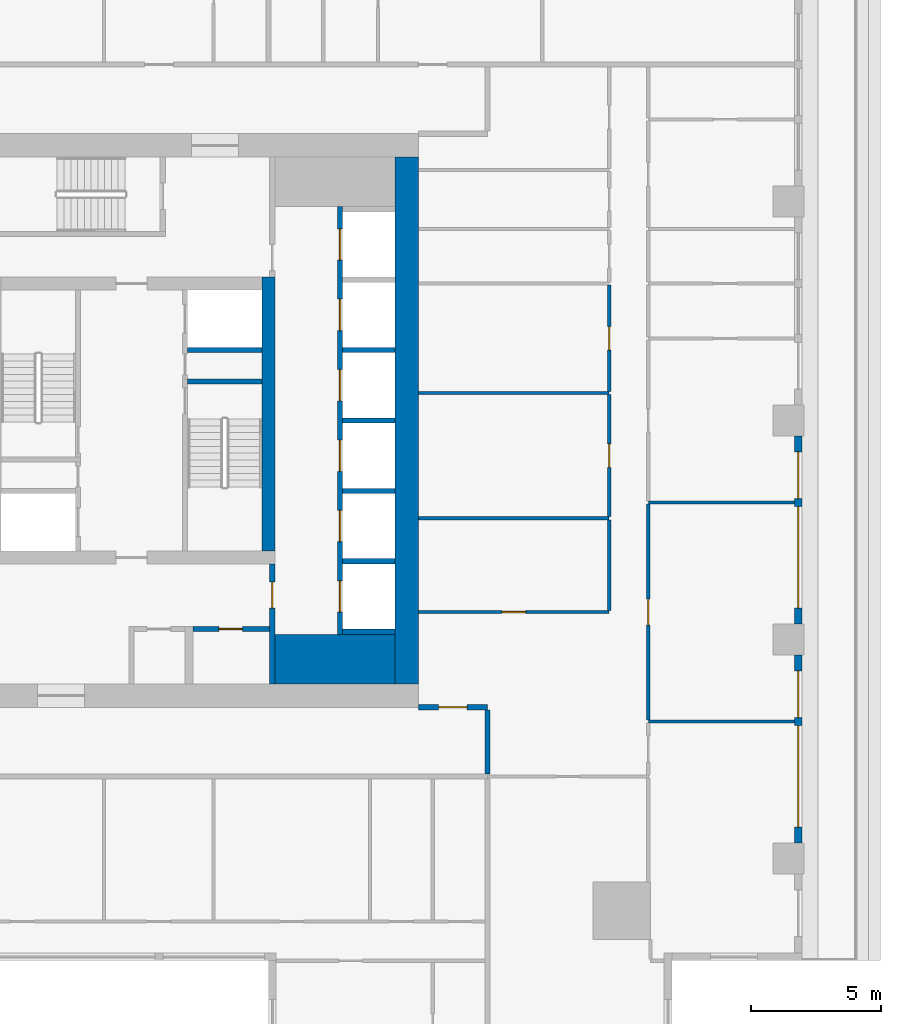
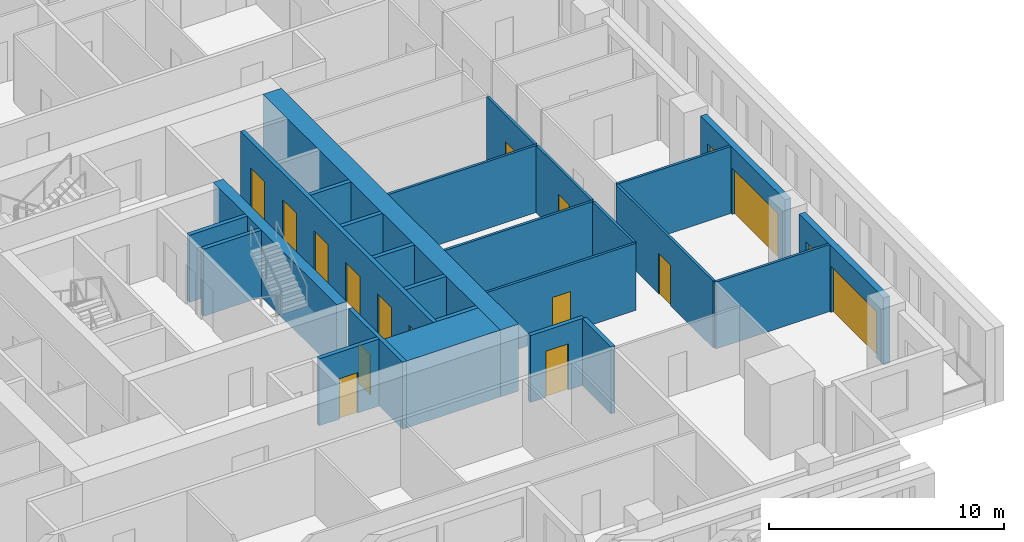
# One storey, part 5 of 15: 26 walls, 17 doors, 17 openings.
"""IFC4 building model written with IfcOpenShell, lengths in metres."""

from ifc_helpers import new_model, si_unit, direction, frame, frame_2d, origin, place, context, subcontext, project, spatial, rectangle, extrude, material, layer, layer_set, type_object, element, fill, save


model = new_model("IFC4")

# Units and contexts
model_context = context("Model", 3, precision=1e-05, world=origin(), true_north=direction((0.0, 1.0)))
body_context = subcontext(model_context, "Body", "Model", "MODEL_VIEW")
ifc_project = project(units=[si_unit("LENGTHUNIT", "METRE"), si_unit("AREAUNIT", "SQUARE_METRE"), si_unit("VOLUMEUNIT", "CUBIC_METRE"), si_unit("PLANEANGLEUNIT", "RADIAN"), si_unit("MASSUNIT", "GRAM", prefix="KILO")], contexts=[model_context])

# Site, building, storey
site_placement = place(None, origin())
site = spatial("IfcSite", under=ifc_project, at=site_placement, CompositionType="ELEMENT")
building_placement = place(site_placement, origin())
building = spatial("IfcBuilding", under=site, at=building_placement, Name="Khepri Terraces", CompositionType="ELEMENT")
storey_placement = place(building_placement, frame((0.0, 0.0, 252.300048828125)))
storey = spatial("IfcBuildingStorey", under=building, at=storey_placement, Name="L60", CompositionType="ELEMENT", Elevation=252.300048828125)

# Walls
ifc_material_1 = material(Name="Concrete C40/50", Category="concrete")
ifc_layer_1 = layer(ifc_material_1, 1.89990234375, Name="Concrete C40/50", Category="concrete")
ifc_layer_set_1 = layer_set([ifc_layer_1], Name="Concrete C40/50")
wall_type_1 = type_object("IfcWallType", Name="Core wall 1900 C40/50", PredefinedType="SHEAR", material=ifc_layer_set_1)
wall_1_placement = place(storey_placement, frame((5.5, -9.14990234375, 0.0), z_axis=(0.0, 0.0, 1.0), x_axis=(1.0, 0.0, 0.0)))
element("IfcWall", 1, at=wall_1_placement, inside=storey, type_object=wall_type_1, Name="Core wall PR02 L60", PredefinedType="SHEAR", context=body_context, shape_type="SweptSolid", body=[
    extrude(rectangle(XDim=4.60009765625, YDim=1.89990234375, at=frame_2d((2.300048828125, 0.0))), origin(), (0.0, 0.0, 1.0), 3.47998046875),
])
ifc_layer_2 = layer(ifc_material_1, 0.199951171875, Name="Concrete C40/50", Category="concrete")
ifc_layer_set_2 = layer_set([ifc_layer_2], Name="Concrete C40/50")
wall_type_2 = type_object("IfcWallType", Name="Core wall 200 C40/50", PredefinedType="SHEAR", material=ifc_layer_set_2)
wall_2_placement = place(storey_placement, frame((2.14990234375, 1.5, 0.0), z_axis=(0.0, 0.0, 1.0), x_axis=(1.0, 0.0, 0.0)))
element("IfcWall", 2, at=wall_2_placement, inside=storey, type_object=wall_type_2, Name="Core wall ST04 L60", PredefinedType="SHEAR", context=body_context, shape_type="SweptSolid", body=[
    extrude(rectangle(XDim=2.85009765625, YDim=0.199951171875, at=frame_2d((1.425048828125, 0.0))), origin(), (0.0, 0.0, 1.0), 3.47998046875),
])

# Wall, openings, doors
wall_3_placement = place(storey_placement, frame((8.0, -8.199951171875, 0.0), z_axis=(0.0, 0.0, 1.0), x_axis=(0.0, 1.0, 0.0)))
wall_3 = element("IfcWall", 3, at=wall_3_placement, inside=storey, type_object=wall_type_2, Name="Core wall SH02 L60", PredefinedType="SHEAR", context=body_context, shape_type="SweptSolid", body=[
    extrude(rectangle(XDim=16.39990234375, YDim=0.199951171875, at=frame_2d((8.199951171875, 0.0))), origin(), (0.0, 0.0, 1.0), 3.47998046875),
])
opening_1_placement = place(wall_3_placement, frame((0.85009765625, 0.0, 0.0)))
opening_1 = element("IfcOpeningElement", 4, at=opening_1_placement, cuts=wall_3, Name="Opening L60-C01", PredefinedType="OPENING", context=body_context, shape_type="SweptSolid", body=[
    extrude(rectangle(XDim=1.199951171875, YDim=2.10009765625, at=frame_2d((0.60009765625, 1.050048828125))), frame((0.0, 0.10986328125, 0.0), z_axis=(0.0, -1.0, 0.0), x_axis=(1.0, 0.0, 0.0)), (0.0, 0.0, 1.0), 0.219970703125),
])
opening_2_placement = place(wall_3_placement, frame((3.550048828125, 0.0, 0.0)))
opening_2 = element("IfcOpeningElement", 5, at=opening_2_placement, cuts=wall_3, Name="Opening L60-C02", PredefinedType="OPENING", context=body_context, shape_type="SweptSolid", body=[
    extrude(rectangle(XDim=1.199951171875, YDim=2.10009765625, at=frame_2d((0.60009765625, 1.050048828125))), frame((0.0, 0.10986328125, 0.0), z_axis=(0.0, -1.0, 0.0), x_axis=(1.0, 0.0, 0.0)), (0.0, 0.0, 1.0), 0.219970703125),
])
opening_3_placement = place(wall_3_placement, frame((6.25, 0.0, 0.0)))
opening_3 = element("IfcOpeningElement", 6, at=opening_3_placement, cuts=wall_3, Name="Opening L60-C03", PredefinedType="OPENING", context=body_context, shape_type="SweptSolid", body=[
    extrude(rectangle(XDim=1.199951171875, YDim=2.10009765625, at=frame_2d((0.60009765625, 1.050048828125))), frame((0.0, 0.10986328125, 0.0), z_axis=(0.0, -1.0, 0.0), x_axis=(1.0, 0.0, 0.0)), (0.0, 0.0, 1.0), 0.219970703125),
])
opening_4_placement = place(wall_3_placement, frame((8.949951171875, 0.0, 0.0)))
opening_4 = element("IfcOpeningElement", 7, at=opening_4_placement, cuts=wall_3, Name="Opening L60-C04", PredefinedType="OPENING", context=body_context, shape_type="SweptSolid", body=[
    extrude(rectangle(XDim=1.199951171875, YDim=2.10009765625, at=frame_2d((0.60009765625, 1.050048828125))), frame((0.0, 0.10986328125, 0.0), z_axis=(0.0, -1.0, 0.0), x_axis=(1.0, 0.0, 0.0)), (0.0, 0.0, 1.0), 0.219970703125),
])
opening_5_placement = place(wall_3_placement, frame((11.64990234375, 0.0, 0.0)))
opening_5 = element("IfcOpeningElement", 8, at=opening_5_placement, cuts=wall_3, Name="Opening L60-C05", PredefinedType="OPENING", context=body_context, shape_type="SweptSolid", body=[
    extrude(rectangle(XDim=1.199951171875, YDim=2.10009765625, at=frame_2d((0.60009765625, 1.050048828125))), frame((0.0, 0.10986328125, 0.0), z_axis=(0.0, -1.0, 0.0), x_axis=(1.0, 0.0, 0.0)), (0.0, 0.0, 1.0), 0.219970703125),
])
opening_6_placement = place(wall_3_placement, frame((14.35009765625, 0.0, 0.0)))
opening_6 = element("IfcOpeningElement", 9, at=opening_6_placement, cuts=wall_3, Name="Opening L60-C06", PredefinedType="OPENING", context=body_context, shape_type="SweptSolid", body=[
    extrude(rectangle(XDim=1.199951171875, YDim=2.10009765625, at=frame_2d((0.60009765625, 1.050048828125))), frame((0.0, 0.10986328125, 0.0), z_axis=(0.0, -1.0, 0.0), x_axis=(1.0, 0.0, 0.0)), (0.0, 0.0, 1.0), 0.219970703125),
])
ifc_material_2 = material(Name="Stainless steel 304", Category="steel")
door_type_1 = type_object("IfcDoorType", Name="DR-CORE-LANDING-1200", OperationType="NOTDEFINED", PredefinedType="DOOR", material=ifc_material_2)
door_1_placement = place(opening_1_placement, origin())
door_1 = element("IfcDoor", 10, at=door_1_placement, inside=storey, type_object=door_type_1, Name="Lift landing door L60-C01", OperationType="SLIDING_TO_LEFT", OverallHeight=2.10009765625, OverallWidth=1.199951171875, PredefinedType="DOOR", context=body_context, shape_type="SweptSolid", body=[
    extrude(rectangle(XDim=1.199951171875, YDim=2.10009765625, at=frame_2d((0.60009765625, 1.050048828125))), frame((0.0, 0.02490234375, 0.0), z_axis=(0.0, -1.0, 0.0), x_axis=(1.0, 0.0, 0.0)), (0.0, 0.0, 1.0), 0.050048828125),
])
fill(opening_1, door_1)
door_2_placement = place(opening_2_placement, origin())
door_2 = element("IfcDoor", 11, at=door_2_placement, inside=storey, type_object=door_type_1, Name="Lift landing door L60-C02", OperationType="SLIDING_TO_LEFT", OverallHeight=2.10009765625, OverallWidth=1.199951171875, PredefinedType="DOOR", context=body_context, shape_type="SweptSolid", body=[
    extrude(rectangle(XDim=1.199951171875, YDim=2.10009765625, at=frame_2d((0.60009765625, 1.050048828125))), frame((0.0, 0.02490234375, 0.0), z_axis=(0.0, -1.0, 0.0), x_axis=(1.0, 0.0, 0.0)), (0.0, 0.0, 1.0), 0.050048828125),
])
fill(opening_2, door_2)
door_3_placement = place(opening_3_placement, origin())
door_3 = element("IfcDoor", 12, at=door_3_placement, inside=storey, type_object=door_type_1, Name="Lift landing door L60-C03", OperationType="SLIDING_TO_LEFT", OverallHeight=2.10009765625, OverallWidth=1.199951171875, PredefinedType="DOOR", context=body_context, shape_type="SweptSolid", body=[
    extrude(rectangle(XDim=1.199951171875, YDim=2.10009765625, at=frame_2d((0.60009765625, 1.050048828125))), frame((0.0, 0.02490234375, 0.0), z_axis=(0.0, -1.0, 0.0), x_axis=(1.0, 0.0, 0.0)), (0.0, 0.0, 1.0), 0.050048828125),
])
fill(opening_3, door_3)
door_4_placement = place(opening_4_placement, origin())
door_4 = element("IfcDoor", 13, at=door_4_placement, inside=storey, type_object=door_type_1, Name="Lift landing door L60-C04", OperationType="SLIDING_TO_LEFT", OverallHeight=2.10009765625, OverallWidth=1.199951171875, PredefinedType="DOOR", context=body_context, shape_type="SweptSolid", body=[
    extrude(rectangle(XDim=1.199951171875, YDim=2.10009765625, at=frame_2d((0.60009765625, 1.050048828125))), frame((0.0, 0.02490234375, 0.0), z_axis=(0.0, -1.0, 0.0), x_axis=(1.0, 0.0, 0.0)), (0.0, 0.0, 1.0), 0.050048828125),
])
fill(opening_4, door_4)
door_5_placement = place(opening_5_placement, origin())
door_5 = element("IfcDoor", 14, at=door_5_placement, inside=storey, type_object=door_type_1, Name="Lift landing door L60-C05", OperationType="SLIDING_TO_LEFT", OverallHeight=2.10009765625, OverallWidth=1.199951171875, PredefinedType="DOOR", context=body_context, shape_type="SweptSolid", body=[
    extrude(rectangle(XDim=1.199951171875, YDim=2.10009765625, at=frame_2d((0.60009765625, 1.050048828125))), frame((0.0, 0.02490234375, 0.0), z_axis=(0.0, -1.0, 0.0), x_axis=(1.0, 0.0, 0.0)), (0.0, 0.0, 1.0), 0.050048828125),
])
fill(opening_5, door_5)
door_6_placement = place(opening_6_placement, origin())
door_6 = element("IfcDoor", 15, at=door_6_placement, inside=storey, type_object=door_type_1, Name="Lift landing door L60-C06", OperationType="SLIDING_TO_LEFT", OverallHeight=2.10009765625, OverallWidth=1.199951171875, PredefinedType="DOOR", context=body_context, shape_type="SweptSolid", body=[
    extrude(rectangle(XDim=1.199951171875, YDim=2.10009765625, at=frame_2d((0.60009765625, 1.050048828125))), frame((0.0, 0.02490234375, 0.0), z_axis=(0.0, -1.0, 0.0), x_axis=(1.0, 0.0, 0.0)), (0.0, 0.0, 1.0), 0.050048828125),
])
fill(opening_6, door_6)

# Walls
for number, where, z_axis, x_axis, name in (
    (16, (8.10009765625, -8.10009765625, 0.0), (0.0, 0.0, 1.0), (1.0, 0.0, 0.0), "Core wall SH03 L60"),
    (17, (8.10009765625, -5.39990234375, 0.0), (0.0, 0.0, 1.0), (1.0, 0.0, 0.0), "Core wall SH04 L60"),
    (18, (8.10009765625, -2.699951171875, 0.0), (0.0, 0.0, 1.0), (1.0, 0.0, 0.0), "Core wall SH08 L60"),
    (19, (8.10009765625, 0.0, 0.0), (0.0, 0.0, 1.0), (1.0, 0.0, 0.0), "Core wall SH09 L60"),
):
    element("IfcWall", number, at=place(storey_placement, frame(where, z_axis=z_axis, x_axis=x_axis)), inside=storey, type_object=wall_type_2, Name=name, PredefinedType="SHEAR", context=body_context, shape_type="SweptSolid", body=[
        extrude(rectangle(XDim=2.0, YDim=0.199951171875, at=frame_2d((1.0, 0.0))), origin(), (0.0, 0.0, 1.0), 3.47998046875),
    ])
wall_4_placement = place(storey_placement, frame((2.14990234375, 2.699951171875, 0.0), z_axis=(0.0, 0.0, 1.0), x_axis=(1.0, 0.0, 0.0)))
element("IfcWall", 20, at=wall_4_placement, inside=storey, type_object=wall_type_2, Name="Core wall SH12 L60", PredefinedType="SHEAR", context=body_context, shape_type="SweptSolid", body=[
    extrude(rectangle(XDim=2.85009765625, YDim=0.199951171875, at=frame_2d((1.425048828125, 0.0))), origin(), (0.0, 0.0, 1.0), 3.47998046875),
])
wall_5_placement = place(storey_placement, frame((8.10009765625, 2.699951171875, 0.0), z_axis=(0.0, 0.0, 1.0), x_axis=(1.0, 0.0, 0.0)))
element("IfcWall", 21, at=wall_5_placement, inside=storey, type_object=wall_type_2, Name="Core wall SH13 L60", PredefinedType="SHEAR", context=body_context, shape_type="SweptSolid", body=[
    extrude(rectangle(XDim=2.0, YDim=0.199951171875, at=frame_2d((1.0, 0.0))), origin(), (0.0, 0.0, 1.0), 3.47998046875),
])
ifc_layer_3 = layer(ifc_material_1, 0.5, Name="Concrete C40/50", Category="concrete")
ifc_layer_set_3 = layer_set([ifc_layer_3], Name="Concrete C40/50")
wall_type_3 = type_object("IfcWallType", Name="Core wall 500 C40/50", PredefinedType="SHEAR", material=ifc_layer_set_3)
wall_6_placement = place(storey_placement, frame((5.25, -5.0, 0.0), z_axis=(0.0, 0.0, 1.0), x_axis=(0.0, 1.0, 0.0)))
element("IfcWall", 22, at=wall_6_placement, inside=storey, type_object=wall_type_3, Name="Core wall BX03 L60", PredefinedType="SHEAR", context=body_context, shape_type="SweptSolid", body=[
    extrude(rectangle(XDim=10.5, YDim=0.5, at=frame_2d((5.25, 0.0))), origin(), (0.0, 0.0, 1.0), 3.47998046875),
])
ifc_layer_4 = layer(ifc_material_1, 0.89990234375, Name="Concrete C40/50", Category="concrete")
ifc_layer_set_4 = layer_set([ifc_layer_4], Name="Concrete C40/50")
wall_type_4 = type_object("IfcWallType", Name="Core wall 900 C40/50", PredefinedType="SHEAR", material=ifc_layer_set_4)
wall_7_placement = place(storey_placement, frame((10.550048828125, -10.10009765625, 0.0), z_axis=(0.0, 0.0, 1.0), x_axis=(0.0, 1.0, 0.0)))
element("IfcWall", 23, at=wall_7_placement, inside=storey, type_object=wall_type_4, Name="Core wall OW-E L60", PredefinedType="SHEAR", context=body_context, shape_type="SweptSolid", body=[
    extrude(rectangle(XDim=20.2001953125, YDim=0.89990234375, at=frame_2d((10.10009765625, 0.0))), origin(), (0.0, 0.0, 1.0), 3.47998046875),
])

# Wall, opening, door
ifc_material_3 = material(Name="Fire-rated gypsum board partition")
ifc_layer_5 = layer(ifc_material_3, 0.199951171875, Name="Fire-rated gypsum board partition")
ifc_layer_set_5 = layer_set([ifc_layer_5], Name="Fire-rated gypsum board partition")
wall_type_5 = type_object("IfcWallType", Name="WL-CORE-PART-200", PredefinedType="PARTITIONING", material=ifc_layer_set_5)
wall_8_placement = place(storey_placement, frame((5.39990234375, -10.10009765625, 0.0), z_axis=(0.0, 0.0, 1.0), x_axis=(0.0, 1.0, 0.0)))
wall_8 = element("IfcWall", 24, at=wall_8_placement, inside=storey, type_object=wall_type_5, Name="Core partition PT04 L60", PredefinedType="PARTITIONING", context=body_context, shape_type="SweptSolid", body=[
    extrude(rectangle(XDim=4.60009765625, YDim=0.199951171875, at=frame_2d((2.300048828125, 0.0))), origin(), (0.0, 0.0, 1.0), 3.47998046875),
])
opening_7_placement = place(wall_8_placement, frame((2.89990234375, 0.0, 0.0)))
opening_7 = element("IfcOpeningElement", 25, at=opening_7_placement, cuts=wall_8, Name="Opening L60-C19", PredefinedType="OPENING", context=body_context, shape_type="SweptSolid", body=[
    extrude(rectangle(XDim=1.0, YDim=2.10009765625, at=frame_2d((0.5, 1.050048828125))), frame((0.0, 0.10986328125, 0.0), z_axis=(0.0, -1.0, 0.0), x_axis=(1.0, 0.0, 0.0)), (0.0, 0.0, 1.0), 0.219970703125),
])
ifc_material_4 = material(Name="Painted steel", Category="steel")
door_type_2 = type_object("IfcDoorType", Name="DR-CORE-LOBBY-1000", OperationType="NOTDEFINED", PredefinedType="DOOR", material=ifc_material_4)
door_7_placement = place(opening_7_placement, origin())
door_7 = element("IfcDoor", 26, at=door_7_placement, inside=storey, type_object=door_type_2, Name="Lobby door L60-C19", OperationType="SINGLE_SWING_RIGHT", OverallHeight=2.10009765625, OverallWidth=1.0, PredefinedType="DOOR", context=body_context, shape_type="SweptSolid", body=[
    extrude(rectangle(XDim=1.0, YDim=2.10009765625, at=frame_2d((0.5, 1.050048828125))), frame((0.0, 0.02490234375, 0.0), z_axis=(0.0, -1.0, 0.0), x_axis=(1.0, 0.0, 0.0)), (0.0, 0.0, 1.0), 0.050048828125),
])
fill(opening_7, door_7)

wall_9_placement = place(storey_placement, frame((2.35009765625, -8.0, 0.0), z_axis=(0.0, 0.0, 1.0), x_axis=(1.0, 0.0, 0.0)))
wall_9 = element("IfcWall", 27, at=wall_9_placement, inside=storey, type_object=wall_type_5, Name="Core partition PT07 L60", PredefinedType="PARTITIONING", context=body_context, shape_type="SweptSolid", body=[
    extrude(rectangle(XDim=2.949951171875, YDim=0.199951171875, at=frame_2d((1.47509765625, 0.0))), origin(), (0.0, 0.0, 1.0), 3.47998046875),
])
opening_8_placement = place(wall_9_placement, frame((1.0, 0.0, 0.0)))
opening_8 = element("IfcOpeningElement", 28, at=opening_8_placement, cuts=wall_9, Name="Opening L60-C23", PredefinedType="OPENING", context=body_context, shape_type="SweptSolid", body=[
    extrude(rectangle(XDim=0.89990234375, YDim=2.10009765625, at=frame_2d((0.449951171875, 1.050048828125))), frame((0.0, 0.10986328125, 0.0), z_axis=(0.0, -1.0, 0.0), x_axis=(1.0, 0.0, 0.0)), (0.0, 0.0, 1.0), 0.219970703125),
])
door_type_3 = type_object("IfcDoorType", Name="DR-CORE-SERVICE-900", OperationType="NOTDEFINED", PredefinedType="DOOR", material=ifc_material_4)
door_8_placement = place(opening_8_placement, frame((0.89990234375, 0.0, 0.0), z_axis=(0.0, 0.0, 1.0), x_axis=(-1.0, 0.0, 0.0)))
door_8 = element("IfcDoor", 29, at=door_8_placement, inside=storey, type_object=door_type_3, Name="Service room door L60-C23", OperationType="SINGLE_SWING_RIGHT", OverallHeight=2.10009765625, OverallWidth=0.89990234375, PredefinedType="DOOR", context=body_context, shape_type="SweptSolid", body=[
    extrude(rectangle(XDim=0.89990234375, YDim=2.10009765625, at=frame_2d((0.449951171875, 1.050048828125))), frame((0.0, 0.02490234375, 0.0), z_axis=(0.0, -1.0, 0.0), x_axis=(1.0, 0.0, 0.0)), (0.0, 0.0, 1.0), 0.050048828125),
])
fill(opening_8, door_8)

# Wall
ifc_material_5 = material(Name="Fire-rated gypsum plasterboard partition, mineral wool")
ifc_layer_6 = layer(ifc_material_5, 0.199951171875, Name="Fire-rated gypsum plasterboard partition, mineral wool")
ifc_layer_set_6 = layer_set([ifc_layer_6], Name="Fire-rated gypsum plasterboard partition, mineral wool")
wall_type_6 = type_object("IfcWallType", Name="WL-CORR-200", PredefinedType="PARTITIONING", material=ifc_layer_set_6)
wall_10_placement = place(storey_placement, frame((13.64990234375, -13.550048828125, 0.0), z_axis=(0.0, 0.0, 1.0), x_axis=(0.0, 1.0, 0.0)))
element("IfcWall", 30, at=wall_10_placement, inside=storey, type_object=wall_type_6, Name="Partition P-022 L60", PredefinedType="PARTITIONING", context=body_context, shape_type="SweptSolid", body=[
    extrude(rectangle(XDim=2.449951171875, YDim=0.199951171875, at=frame_2d((1.22509765625, 0.0))), origin(), (0.0, 0.0, 1.0), 3.47998046875),
])

# Wall, opening, door
wall_11_placement = place(storey_placement, frame((11.0, -11.0, 0.0), z_axis=(0.0, 0.0, 1.0), x_axis=(1.0, 0.0, 0.0)))
wall_11 = element("IfcWall", 31, at=wall_11_placement, inside=storey, type_object=wall_type_6, Name="Partition P-028 L60", PredefinedType="PARTITIONING", context=body_context, shape_type="SweptSolid", body=[
    extrude(rectangle(XDim=2.64990234375, YDim=0.199951171875, at=frame_2d((1.324951171875, 0.0))), origin(), (0.0, 0.0, 1.0), 3.47998046875),
])
opening_9_placement = place(wall_11_placement, frame((0.77490234375, 0.0, 0.0)))
opening_9 = element("IfcOpeningElement", 32, at=opening_9_placement, cuts=wall_11, Name="Opening D1", PredefinedType="OPENING", context=body_context, shape_type="SweptSolid", body=[
    extrude(rectangle(XDim=1.10009765625, YDim=2.39990234375, at=frame_2d((0.550048828125, 1.199951171875))), frame((0.0, 0.10986328125, 0.0), z_axis=(0.0, -1.0, 0.0), x_axis=(1.0, 0.0, 0.0)), (0.0, 0.0, 1.0), 0.219970703125),
])
ifc_material_6 = material(Name="Solid-core timber door leaf, flat entrance door", Category="wood")
door_type_4 = type_object("IfcDoorType", Name="DR-ENT-1100", OperationType="NOTDEFINED", PredefinedType="DOOR", material=ifc_material_6)
door_9_placement = place(opening_9_placement, origin())
door_9 = element("IfcDoor", 33, at=door_9_placement, inside=storey, type_object=door_type_4, Name="Flat B1 entrance door", OperationType="SINGLE_SWING_LEFT", OverallHeight=2.39990234375, OverallWidth=1.10009765625, PredefinedType="DOOR", context=body_context, shape_type="SweptSolid", body=[
    extrude(rectangle(XDim=1.10009765625, YDim=2.39990234375, at=frame_2d((0.550048828125, 1.199951171875))), frame((0.0, 0.02490234375, 0.0), z_axis=(0.0, -1.0, 0.0), x_axis=(1.0, 0.0, 0.0)), (0.0, 0.0, 1.0), 0.050048828125),
])
fill(opening_9, door_9)

# Wall, openings, doors
ifc_material_7 = material(Name="Precast concrete C50/60 warm stone", Category="masonry")
ifc_layer_7 = layer(ifc_material_7, 0.300048828125, Name="Precast concrete C50/60 warm stone", Category="masonry")
ifc_layer_set_7 = layer_set([ifc_layer_7], Name="Precast concrete C50/60 warm stone")
wall_type_7 = type_object("IfcWallType", Name="WL-EXT-PRECAST-300", PredefinedType="STANDARD", material=ifc_layer_set_7)
wall_12_placement = place(storey_placement, frame((25.570068359375, -16.199951171875, 0.0), z_axis=(0.0, 0.0, 1.0), x_axis=(0.0, 1.0, 0.0)))
wall_12 = element("IfcWall", 34, at=wall_12_placement, inside=storey, type_object=wall_type_7, Name="External wall L60 E", PredefinedType="STANDARD", context=body_context, shape_type="SweptSolid", body=[
    extrude(rectangle(XDim=7.199951171875, YDim=0.300048828125, at=frame_2d((3.60009765625, 0.0))), origin(), (0.0, 0.0, 1.0), 3.47998046875),
])
opening_10_placement = place(wall_12_placement, frame((0.60009765625, 0.0, 0.0)))
opening_10 = element("IfcOpeningElement", 35, at=opening_10_placement, cuts=wall_12, Name="Opening ED-L60-02", PredefinedType="OPENING", context=body_context, shape_type="SweptSolid", body=[
    extrude(rectangle(XDim=3.89990234375, YDim=2.39990234375, at=frame_2d((1.949951171875, 1.199951171875))), frame((0.0, 0.16015625, 0.0), z_axis=(0.0, -1.0, 0.0), x_axis=(1.0, 0.0, 0.0)), (0.0, 0.0, 1.0), 0.320068359375),
])
opening_11_placement = place(wall_12_placement, frame((4.800048828125, 0.0, 0.0)))
opening_11 = element("IfcOpeningElement", 36, at=opening_11_placement, cuts=wall_12, Name="Opening ED-L60-03", PredefinedType="OPENING", context=body_context, shape_type="SweptSolid", body=[
    extrude(rectangle(XDim=1.800048828125, YDim=2.39990234375, at=frame_2d((0.89990234375, 1.199951171875))), frame((0.0, 0.16015625, 0.0), z_axis=(0.0, -1.0, 0.0), x_axis=(1.0, 0.0, 0.0)), (0.0, 0.0, 1.0), 0.320068359375),
])
ifc_material_8 = material(Name="Anodised aluminium bronze glazed door", Category="aluminium")
door_type_5 = type_object("IfcDoorType", Name="DR-BAL-SLIDE-1800x2400", OperationType="NOTDEFINED", PredefinedType="DOOR", material=ifc_material_8)
door_10_placement = place(opening_11_placement, origin())
door_10 = element("IfcDoor", 37, at=door_10_placement, inside=storey, type_object=door_type_5, Name="Balcony door L60 E", OperationType="SLIDING_TO_RIGHT", OverallHeight=2.39990234375, OverallWidth=1.800048828125, PredefinedType="DOOR", context=body_context, shape_type="SweptSolid", body=[
    extrude(rectangle(XDim=1.800048828125, YDim=2.39990234375, at=frame_2d((0.89990234375, 1.199951171875))), frame((0.0, 0.02490234375, 0.0), z_axis=(0.0, -1.0, 0.0), x_axis=(1.0, 0.0, 0.0)), (0.0, 0.0, 1.0), 0.050048828125),
])
fill(opening_11, door_10)
door_type_6 = type_object("IfcDoorType", Name="DR-BAL-SLIDE-3900x2400", OperationType="NOTDEFINED", PredefinedType="DOOR", material=ifc_material_8)
door_11_placement = place(opening_10_placement, origin())
door_11 = element("IfcDoor", 38, at=door_11_placement, inside=storey, type_object=door_type_6, Name="Balcony door L60 E", OperationType="SLIDING_TO_LEFT", OverallHeight=2.39990234375, OverallWidth=3.89990234375, PredefinedType="DOOR", context=body_context, shape_type="SweptSolid", body=[
    extrude(rectangle(XDim=3.89990234375, YDim=2.39990234375, at=frame_2d((1.949951171875, 1.199951171875))), frame((0.0, 0.02490234375, 0.0), z_axis=(0.0, -1.0, 0.0), x_axis=(1.0, 0.0, 0.0)), (0.0, 0.0, 1.0), 0.050048828125),
])
fill(opening_10, door_11)

wall_13_placement = place(storey_placement, frame((25.570068359375, -7.800048828125, 0.0), z_axis=(0.0, 0.0, 1.0), x_axis=(0.0, 1.0, 0.0)))
wall_13 = element("IfcWall", 39, at=wall_13_placement, inside=storey, type_object=wall_type_7, Name="External wall L60 E", PredefinedType="STANDARD", context=body_context, shape_type="SweptSolid", body=[
    extrude(rectangle(XDim=7.199951171875, YDim=0.300048828125, at=frame_2d((3.60009765625, 0.0))), origin(), (0.0, 0.0, 1.0), 3.47998046875),
])
opening_12_placement = place(wall_13_placement, frame((0.60009765625, 0.0, 0.0)))
opening_12 = element("IfcOpeningElement", 40, at=opening_12_placement, cuts=wall_13, Name="Opening ED-L60-04", PredefinedType="OPENING", context=body_context, shape_type="SweptSolid", body=[
    extrude(rectangle(XDim=3.89990234375, YDim=2.39990234375, at=frame_2d((1.949951171875, 1.199951171875))), frame((0.0, 0.16015625, 0.0), z_axis=(0.0, -1.0, 0.0), x_axis=(1.0, 0.0, 0.0)), (0.0, 0.0, 1.0), 0.320068359375),
])
opening_13_placement = place(wall_13_placement, frame((4.800048828125, 0.0, 0.0)))
opening_13 = element("IfcOpeningElement", 41, at=opening_13_placement, cuts=wall_13, Name="Opening ED-L60-05", PredefinedType="OPENING", context=body_context, shape_type="SweptSolid", body=[
    extrude(rectangle(XDim=1.800048828125, YDim=2.39990234375, at=frame_2d((0.89990234375, 1.199951171875))), frame((0.0, 0.16015625, 0.0), z_axis=(0.0, -1.0, 0.0), x_axis=(1.0, 0.0, 0.0)), (0.0, 0.0, 1.0), 0.320068359375),
])
door_12_placement = place(opening_13_placement, origin())
door_12 = element("IfcDoor", 42, at=door_12_placement, inside=storey, type_object=door_type_5, Name="Balcony door L60 E", OperationType="SLIDING_TO_RIGHT", OverallHeight=2.39990234375, OverallWidth=1.800048828125, PredefinedType="DOOR", context=body_context, shape_type="SweptSolid", body=[
    extrude(rectangle(XDim=1.800048828125, YDim=2.39990234375, at=frame_2d((0.89990234375, 1.199951171875))), frame((0.0, 0.02490234375, 0.0), z_axis=(0.0, -1.0, 0.0), x_axis=(1.0, 0.0, 0.0)), (0.0, 0.0, 1.0), 0.050048828125),
])
fill(opening_13, door_12)
door_13_placement = place(opening_12_placement, origin())
door_13 = element("IfcDoor", 43, at=door_13_placement, inside=storey, type_object=door_type_6, Name="Balcony door L60 E", OperationType="SLIDING_TO_LEFT", OverallHeight=2.39990234375, OverallWidth=3.89990234375, PredefinedType="DOOR", context=body_context, shape_type="SweptSolid", body=[
    extrude(rectangle(XDim=3.89990234375, YDim=2.39990234375, at=frame_2d((1.949951171875, 1.199951171875))), frame((0.0, 0.02490234375, 0.0), z_axis=(0.0, -1.0, 0.0), x_axis=(1.0, 0.0, 0.0)), (0.0, 0.0, 1.0), 0.050048828125),
])
fill(opening_12, door_13)

# Wall
ifc_material_9 = material(Name="Gypsum plasterboard partition")
ifc_layer_8 = layer(ifc_material_9, 0.1201171875, Name="Gypsum plasterboard partition")
ifc_layer_set_8 = layer_set([ifc_layer_8], Name="Gypsum plasterboard partition")
wall_type_8 = type_object("IfcWallType", Name="WL-PART-120", PredefinedType="PARTITIONING", material=ifc_layer_set_8)
wall_14_placement = place(storey_placement, frame((19.820068359375, -11.550048828125, 0.0), z_axis=(0.0, 0.0, 1.0), x_axis=(1.0, 0.0, 0.0)))
element("IfcWall", 44, at=wall_14_placement, inside=storey, type_object=wall_type_8, Name="Partition P-024 L60", PredefinedType="PARTITIONING", context=body_context, shape_type="SweptSolid", body=[
    extrude(rectangle(XDim=5.599853515625, YDim=0.1201171875, at=frame_2d((2.7998046875, 0.0))), origin(), (0.0, 0.0, 1.0), 3.47998046875),
])

# Wall, opening, door
wall_15_placement = place(storey_placement, frame((19.820068359375, -11.489990234375, 0.0), z_axis=(0.0, 0.0, 1.0), x_axis=(0.0, 1.0, 0.0)))
wall_15 = element("IfcWall", 45, at=wall_15_placement, inside=storey, type_object=wall_type_8, Name="Partition P-026 L60", PredefinedType="PARTITIONING", context=body_context, shape_type="SweptSolid", body=[
    extrude(rectangle(XDim=8.280029296875, YDim=0.1201171875, at=frame_2d((4.14013671875, 0.0))), origin(), (0.0, 0.0, 1.0), 3.47998046875),
])
opening_14_placement = place(wall_15_placement, frame((3.639892578125, 0.0, 0.0)))
opening_14 = element("IfcOpeningElement", 46, at=opening_14_placement, cuts=wall_15, Name="Opening D2", PredefinedType="OPENING", context=body_context, shape_type="SweptSolid", body=[
    extrude(rectangle(XDim=1.0, YDim=2.10009765625, at=frame_2d((0.5, 1.050048828125))), frame((0.0, 0.070068359375, 0.0), z_axis=(0.0, -1.0, 0.0), x_axis=(1.0, 0.0, 0.0)), (0.0, 0.0, 1.0), 0.14013671875),
])
ifc_material_10 = material(Name="Timber door leaf, living room door", Category="wood")
door_type_7 = type_object("IfcDoorType", Name="DR-INT-1000", OperationType="NOTDEFINED", PredefinedType="DOOR", material=ifc_material_10)
door_14_placement = place(opening_14_placement, frame((1.0, 0.0, 0.0), z_axis=(0.0, 0.0, 1.0), x_axis=(-1.0, 0.0, 0.0)))
door_14 = element("IfcDoor", 47, at=door_14_placement, inside=storey, type_object=door_type_7, Name="Door Family Room", OperationType="SINGLE_SWING_RIGHT", OverallHeight=2.10009765625, OverallWidth=1.0, PredefinedType="DOOR", context=body_context, shape_type="SweptSolid", body=[
    extrude(rectangle(XDim=1.0, YDim=2.10009765625, at=frame_2d((0.5, 1.050048828125))), frame((0.0, 0.02490234375, 0.0), z_axis=(0.0, -1.0, 0.0), x_axis=(1.0, 0.0, 0.0)), (0.0, 0.0, 1.0), 0.050048828125),
])
fill(opening_14, door_14)

wall_16_placement = place(storey_placement, frame((11.0, -7.35009765625, 0.0), z_axis=(0.0, 0.0, 1.0), x_axis=(1.0, 0.0, 0.0)))
wall_16 = element("IfcWall", 48, at=wall_16_placement, inside=storey, type_object=wall_type_8, Name="Partition P-033 L60", PredefinedType="PARTITIONING", context=body_context, shape_type="SweptSolid", body=[
    extrude(rectangle(XDim=7.320068359375, YDim=0.1201171875, at=frame_2d((3.66015625, 0.0))), origin(), (0.0, 0.0, 1.0), 3.47998046875),
])
opening_15_placement = place(wall_16_placement, frame((3.2099609375, 0.0, 0.0)))
opening_15 = element("IfcOpeningElement", 49, at=opening_15_placement, cuts=wall_16, Name="Opening D3", PredefinedType="OPENING", context=body_context, shape_type="SweptSolid", body=[
    extrude(rectangle(XDim=0.89990234375, YDim=2.10009765625, at=frame_2d((0.449951171875, 1.050048828125))), frame((0.0, 0.070068359375, 0.0), z_axis=(0.0, -1.0, 0.0), x_axis=(1.0, 0.0, 0.0)), (0.0, 0.0, 1.0), 0.14013671875),
])
ifc_material_11 = material(Name="Timber door leaf", Category="wood")
door_type_8 = type_object("IfcDoorType", Name="DR-INT-900", OperationType="NOTDEFINED", PredefinedType="DOOR", material=ifc_material_11)
door_15_placement = place(opening_15_placement, origin())
door_15 = element("IfcDoor", 50, at=door_15_placement, inside=storey, type_object=door_type_8, Name="Door Kitchen", OperationType="SINGLE_SWING_RIGHT", OverallHeight=2.10009765625, OverallWidth=0.89990234375, PredefinedType="DOOR", context=body_context, shape_type="SweptSolid", body=[
    extrude(rectangle(XDim=0.89990234375, YDim=2.10009765625, at=frame_2d((0.449951171875, 1.050048828125))), frame((0.0, 0.02490234375, 0.0), z_axis=(0.0, -1.0, 0.0), x_axis=(1.0, 0.0, 0.0)), (0.0, 0.0, 1.0), 0.050048828125),
])
fill(opening_15, door_15)

# Walls
wall_17_placement = place(storey_placement, frame((18.320068359375, -7.2900390625, 0.0), z_axis=(0.0, 0.0, 1.0), x_axis=(0.0, 1.0, 0.0)))
element("IfcWall", 51, at=wall_17_placement, inside=storey, type_object=wall_type_8, Name="Partition P-036 L60", PredefinedType="PARTITIONING", context=body_context, shape_type="SweptSolid", body=[
    extrude(rectangle(XDim=3.47998046875, YDim=0.1201171875, at=frame_2d((1.739990234375, 0.0))), origin(), (0.0, 0.0, 1.0), 3.47998046875),
])
wall_18_placement = place(storey_placement, frame((11.0, -3.75, 0.0), z_axis=(0.0, 0.0, 1.0), x_axis=(1.0, 0.0, 0.0)))
element("IfcWall", 52, at=wall_18_placement, inside=storey, type_object=wall_type_8, Name="Partition P-039 L60", PredefinedType="PARTITIONING", context=body_context, shape_type="SweptSolid", body=[
    extrude(rectangle(XDim=7.320068359375, YDim=0.1201171875, at=frame_2d((3.66015625, 0.0))), origin(), (0.0, 0.0, 1.0), 3.47998046875),
])

# Wall, opening, door
wall_19_placement = place(storey_placement, frame((18.320068359375, -3.68994140625, 0.0), z_axis=(0.0, 0.0, 1.0), x_axis=(0.0, 1.0, 0.0)))
wall_19 = element("IfcWall", 53, at=wall_19_placement, inside=storey, type_object=wall_type_8, Name="Partition P-040 L60", PredefinedType="PARTITIONING", context=body_context, shape_type="SweptSolid", body=[
    extrude(rectangle(XDim=4.679931640625, YDim=0.1201171875, at=frame_2d((2.33984375, 0.0))), origin(), (0.0, 0.0, 1.0), 3.47998046875),
])
opening_16_placement = place(wall_19_placement, frame((1.889892578125, 0.0, 0.0)))
opening_16 = element("IfcOpeningElement", 54, at=opening_16_placement, cuts=wall_19, Name="Opening D3", PredefinedType="OPENING", context=body_context, shape_type="SweptSolid", body=[
    extrude(rectangle(XDim=0.89990234375, YDim=2.10009765625, at=frame_2d((0.449951171875, 1.050048828125))), frame((0.0, 0.070068359375, 0.0), z_axis=(0.0, -1.0, 0.0), x_axis=(1.0, 0.0, 0.0)), (0.0, 0.0, 1.0), 0.14013671875),
])
door_16_placement = place(opening_16_placement, origin())
door_16 = element("IfcDoor", 55, at=door_16_placement, inside=storey, type_object=door_type_8, Name="Door Service Kitchen", OperationType="SINGLE_SWING_RIGHT", OverallHeight=2.10009765625, OverallWidth=0.89990234375, PredefinedType="DOOR", context=body_context, shape_type="SweptSolid", body=[
    extrude(rectangle(XDim=0.89990234375, YDim=2.10009765625, at=frame_2d((0.449951171875, 1.050048828125))), frame((0.0, 0.02490234375, 0.0), z_axis=(0.0, -1.0, 0.0), x_axis=(1.0, 0.0, 0.0)), (0.0, 0.0, 1.0), 0.050048828125),
])
fill(opening_16, door_16)

# Walls
wall_20_placement = place(storey_placement, frame((19.820068359375, -3.14990234375, 0.0), z_axis=(0.0, 0.0, 1.0), x_axis=(1.0, 0.0, 0.0)))
element("IfcWall", 56, at=wall_20_placement, inside=storey, type_object=wall_type_8, Name="Partition P-043 L60", PredefinedType="PARTITIONING", context=body_context, shape_type="SweptSolid", body=[
    extrude(rectangle(XDim=5.599853515625, YDim=0.1201171875, at=frame_2d((2.7998046875, 0.0))), origin(), (0.0, 0.0, 1.0), 3.47998046875),
])
wall_21_placement = place(storey_placement, frame((11.0, 1.050048828125, 0.0), z_axis=(0.0, 0.0, 1.0), x_axis=(1.0, 0.0, 0.0)))
element("IfcWall", 57, at=wall_21_placement, inside=storey, type_object=wall_type_8, Name="Partition P-050 L60", PredefinedType="PARTITIONING", context=body_context, shape_type="SweptSolid", body=[
    extrude(rectangle(XDim=7.320068359375, YDim=0.1201171875, at=frame_2d((3.66015625, 0.0))), origin(), (0.0, 0.0, 1.0), 3.47998046875),
])

# Wall, opening, door
wall_22_placement = place(storey_placement, frame((18.320068359375, 1.110107421875, 0.0), z_axis=(0.0, 0.0, 1.0), x_axis=(0.0, 1.0, 0.0)))
wall_22 = element("IfcWall", 58, at=wall_22_placement, inside=storey, type_object=wall_type_8, Name="Partition P-052 L60", PredefinedType="PARTITIONING", context=body_context, shape_type="SweptSolid", body=[
    extrude(rectangle(XDim=4.079833984375, YDim=0.1201171875, at=frame_2d((2.0400390625, 0.0))), origin(), (0.0, 0.0, 1.0), 3.47998046875),
])
opening_17_placement = place(wall_22_placement, frame((1.590087890625, 0.0, 0.0)))
opening_17 = element("IfcOpeningElement", 59, at=opening_17_placement, cuts=wall_22, Name="Opening D3", PredefinedType="OPENING", context=body_context, shape_type="SweptSolid", body=[
    extrude(rectangle(XDim=0.89990234375, YDim=2.10009765625, at=frame_2d((0.449951171875, 1.050048828125))), frame((0.0, 0.070068359375, 0.0), z_axis=(0.0, -1.0, 0.0), x_axis=(1.0, 0.0, 0.0)), (0.0, 0.0, 1.0), 0.14013671875),
])
door_17_placement = place(opening_17_placement, origin())
door_17 = element("IfcDoor", 60, at=door_17_placement, inside=storey, type_object=door_type_8, Name="Door Staff Bedroom", OperationType="SINGLE_SWING_RIGHT", OverallHeight=2.10009765625, OverallWidth=0.89990234375, PredefinedType="DOOR", context=body_context, shape_type="SweptSolid", body=[
    extrude(rectangle(XDim=0.89990234375, YDim=2.10009765625, at=frame_2d((0.449951171875, 1.050048828125))), frame((0.0, 0.02490234375, 0.0), z_axis=(0.0, -1.0, 0.0), x_axis=(1.0, 0.0, 0.0)), (0.0, 0.0, 1.0), 0.050048828125),
])
fill(opening_17, door_17)

save(model, "model.ifc")
